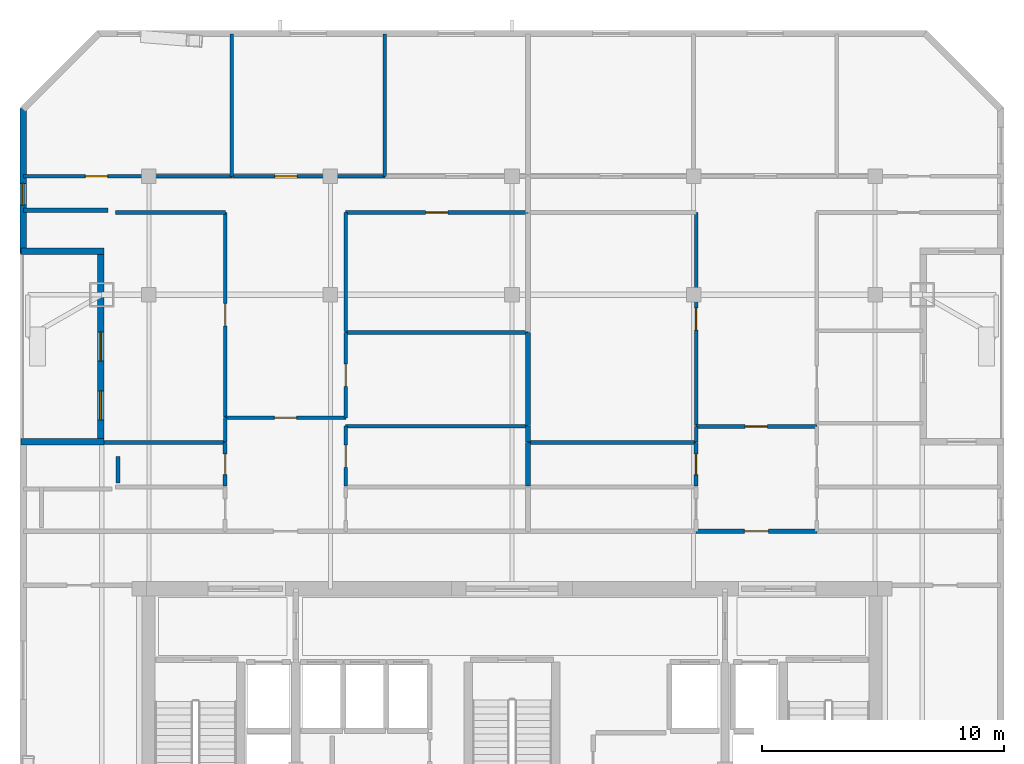
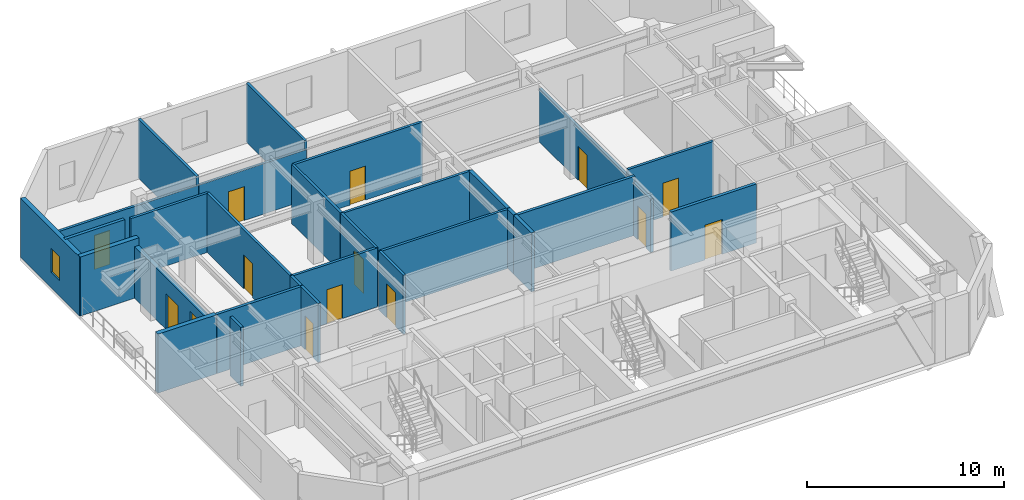
# One storey, part 4 of 8: 31 walls, 13 doors, 2 windows, 15 openings.
"""IFC4 building model written with IfcOpenShell, lengths in metres."""

import ifcopenshell
import ifcopenshell.guid

model = None  # the IFC model being written
_history = None  # IfcOwnerHistory: only IFC2X3 demands one
_inside = {}  # id of a spatial element -> (the spatial element, [elements in it])
_under = {}  # id of a project, library or spatial element -> (it, [spatial elements below it])
_declared = {}  # id of a project -> (the project, [libraries it declares])
_typed = {}  # id of a type object -> (the type object, [elements of that type])
_made_of = {}  # id of a material, layer set ... -> (it, [elements and type objects made of it])


def new_model(schema):
    """Start an empty IFC model of exactly this schema.

    Asked for "IFC4X3", IfcOpenShell would pick the latest addendum, in which some entities
    have other attributes; the version numbers below select the first issue.
    IFC2X3 requires an IfcOwnerHistory on every rooted entity: one is made here for all.
    """
    global model, _history
    if schema == "IFC4X3":
        model = ifcopenshell.file(schema_version=(4, 3, 0, 0))
    else:
        model = ifcopenshell.file(schema=schema)
    _inside.clear()
    _under.clear()
    _declared.clear()
    _typed.clear()
    _made_of.clear()
    _history = None
    if model.schema == "IFC2X3":
        org = make("IfcOrganization", Name="unknown")
        user = make(
            "IfcPersonAndOrganization",
            ThePerson=make("IfcPerson", FamilyName="unknown"),
            TheOrganization=org,
        )
        app = make(
            "IfcApplication",
            ApplicationDeveloper=org,
            Version="unknown",
            ApplicationFullName="unknown",
            ApplicationIdentifier="unknown",
        )
        _history = make(
            "IfcOwnerHistory",
            OwningUser=user,
            OwningApplication=app,
            ChangeAction="ADDED",
            CreationDate=0,
        )
    return model


def make(cls, **values):
    """One entity of the class cls with the attributes given. An attribute that is None is left unset."""
    return model.create_entity(
        cls, **{name: value for name, value in values.items() if value is not None}
    )


def rooted(cls, **values):
    """An entity with a GlobalId (a new one), such as an element, a storey or a relation."""
    return make(cls, GlobalId=ifcopenshell.guid.new(), OwnerHistory=_history, **values)


def si_unit(unit_type, name, prefix=None):
    """IfcSIUnit, for example si_unit("LENGTHUNIT", "METRE", prefix="MILLI")."""
    return make("IfcSIUnit", UnitType=unit_type, Prefix=prefix, Name=name)


def assignment(units):
    """IfcUnitAssignment: the units of a project."""
    return None if units is None else make("IfcUnitAssignment", Units=units)


def point(xyz):
    """IfcCartesianPoint."""
    return None if xyz is None else make("IfcCartesianPoint", Coordinates=xyz)


def direction(xyz):
    """IfcDirection."""
    return None if xyz is None else make("IfcDirection", DirectionRatios=xyz)


def frame(location, z_axis=None, x_axis=None):
    """IfcAxis2Placement3D, a coordinate frame: its origin and axes. An axis left out is left unset."""
    return make(
        "IfcAxis2Placement3D",
        Location=point(location),
        Axis=direction(z_axis),
        RefDirection=direction(x_axis),
    )


def frame_2d(location, x_axis=None):
    """IfcAxis2Placement2D, a coordinate frame in the plane: its origin and x axis."""
    return make(
        "IfcAxis2Placement2D", Location=point(location), RefDirection=direction(x_axis)
    )


def origin():
    """The frame at (0, 0, 0) with its axes left unset."""
    return frame((0.0, 0.0, 0.0))


def place(relative_to, where):
    """IfcLocalPlacement: puts the frame where relative to a parent placement (None: the world)."""
    return make(
        "IfcLocalPlacement", PlacementRelTo=relative_to, RelativePlacement=where
    )


def context(
    kind, dimensions, precision=None, world=None, true_north=None, identifier=None
):
    """IfcGeometricRepresentationContext, for example the 3D "Model" context."""
    return make(
        "IfcGeometricRepresentationContext",
        ContextIdentifier=identifier,
        ContextType=kind,
        CoordinateSpaceDimension=dimensions,
        Precision=precision,
        WorldCoordinateSystem=world,
        TrueNorth=true_north,
    )


def subcontext(parent, identifier, kind, view, scale=None):
    """IfcGeometricRepresentationSubContext, for example "Body" below "Model"."""
    return make(
        "IfcGeometricRepresentationSubContext",
        ContextIdentifier=identifier,
        ContextType=kind,
        ParentContext=parent,
        TargetScale=scale,
        TargetView=view,
    )


def project(units=None, contexts=None):
    """IfcProject with its units and contexts."""
    return rooted(
        "IfcProject",
        Name="project",
        RepresentationContexts=contexts,
        UnitsInContext=assignment(units),
    )


def spatial(cls, under=None, at=None, **own):
    """A site, building, storey or space (cls), placed at a placement, below another one or the project."""
    s = rooted(cls, ObjectPlacement=at, **own)
    if under is not None:
        _under.setdefault(under.id(), (under, []))[1].append(s)
    return s


def profile(cls, at=None, kind="AREA", **sizes):
    """A parametric profile (cls). Its sizes go by their IFC names, for example OverallWidth=200.0."""
    return make(cls, ProfileType=kind, Position=at, **sizes)


def rectangle(**sizes):
    """IfcRectangleProfileDef."""
    return profile("IfcRectangleProfileDef", **sizes)


def extrude(swept, where, along, depth):
    """IfcExtrudedAreaSolid: the profile swept, set in the frame where, extruded along a direction by depth."""
    return make(
        "IfcExtrudedAreaSolid",
        SweptArea=swept,
        Position=where,
        ExtrudedDirection=direction(along),
        Depth=depth,
    )


def shape(context_of_items, identifier, shape_type, items):
    """IfcShapeRepresentation: the items that make up one representation, for example the "Body"."""
    return make(
        "IfcShapeRepresentation",
        ContextOfItems=context_of_items,
        RepresentationIdentifier=identifier,
        RepresentationType=shape_type,
        Items=items,
    )


def material(Name=None, Category=None):
    """IfcMaterial."""
    return make("IfcMaterial", Name=Name, Category=Category)


def layer(
    of_material, thickness, ventilated=None, Name=None, Category=None, Priority=None
):
    """IfcMaterialLayer: one layer of a wall or slab, of a material (None: an air gap)."""
    return make(
        "IfcMaterialLayer",
        Material=of_material,
        LayerThickness=thickness,
        IsVentilated=ventilated,
        Name=Name,
        Category=Category,
        Priority=Priority,
    )


def layer_set(layers, Name=None):
    """IfcMaterialLayerSet."""
    return make("IfcMaterialLayerSet", MaterialLayers=layers, LayerSetName=Name)


def made_of(thing, what):
    """Note that an element or type object is made of a material, layer set ...; save() writes the relation."""
    if what is not None:
        _made_of.setdefault(what.id(), (what, []))[1].append(thing)
    return thing


def type_object(cls, material=None, **own):
    """A type object (cls), such as IfcWallType, which elements share."""
    return made_of(rooted(cls, **own), material)


def element(
    cls,
    number,
    at=None,
    inside=None,
    cuts=None,
    type_object=None,
    material=None,
    context=None,
    identifier="Body",
    shape_type=None,
    held_by="IfcProductDefinitionShape",
    body=None,
    shapes=None,
    **own,
):
    """One element of the class cls, such as IfcWall. Its Tag is "e" and its number.

    at: its placement. inside: the storey or other place that contains it. cuts: it is an
    opening in that element (IfcRelVoidsElement). A single representation is given by context,
    identifier, shape_type and body (its items); several are given by shapes. held_by: the class
    of the entity that holds the representations. save() writes the other relations.
    """
    e = rooted(cls, Tag="e%d" % number, ObjectPlacement=at, **own)
    if body is not None:
        shapes = [shape(context, identifier, shape_type, body)]
    if shapes is not None:
        e.Representation = make(held_by, Representations=shapes)
    if inside is not None:
        _inside.setdefault(inside.id(), (inside, []))[1].append(e)
    if cuts is not None:
        rooted(
            "IfcRelVoidsElement", RelatingBuildingElement=cuts, RelatedOpeningElement=e
        )
    if type_object is not None:
        _typed.setdefault(type_object.id(), (type_object, []))[1].append(e)
    return made_of(e, material)


def fill(opening, filler):
    """IfcRelFillsElement: the door or window that sits in an opening."""
    return rooted(
        "IfcRelFillsElement",
        RelatingOpeningElement=opening,
        RelatedBuildingElement=filler,
    )


def aggregate(whole, parts):
    """IfcRelAggregates: a whole, such as a stair, and the parts it consists of."""
    return rooted("IfcRelAggregates", RelatingObject=whole, RelatedObjects=parts)


def save(model, path):
    """Write the relations noted so far, then the file.

    IfcRelAggregates (storeys below a building ...), IfcRelContainedInSpatialStructure (elements
    in a storey), IfcRelDefinesByType, IfcRelAssociatesMaterial and IfcRelDeclares: one each for
    every whole, place, type object, material and project.
    """
    for whole, parts in _under.values():
        aggregate(whole, parts)
    for where, things in _inside.values():
        rooted(
            "IfcRelContainedInSpatialStructure",
            RelatedElements=things,
            RelatingStructure=where,
        )
    for kind, things in _typed.values():
        rooted("IfcRelDefinesByType", RelatedObjects=things, RelatingType=kind)
    for what, things in _made_of.values():
        rooted("IfcRelAssociatesMaterial", RelatedObjects=things, RelatingMaterial=what)
    for by, libraries in _declared.values():
        rooted("IfcRelDeclares", RelatingContext=by, RelatedDefinitions=libraries)
    model.write(path)


model = new_model("IFC4")

# Units and contexts
model_context = context("Model", 3, precision=1e-05, world=origin(), true_north=direction((0.0, 1.0)))
body_context = subcontext(model_context, "Body", "Model", "MODEL_VIEW")
ifc_project = project(units=[si_unit("LENGTHUNIT", "METRE"), si_unit("AREAUNIT", "SQUARE_METRE"), si_unit("VOLUMEUNIT", "CUBIC_METRE"), si_unit("PLANEANGLEUNIT", "RADIAN"), si_unit("MASSUNIT", "GRAM", prefix="KILO")], contexts=[model_context])

# Site, building, storey
site_placement = place(None, origin())
site = spatial("IfcSite", under=ifc_project, at=site_placement, CompositionType="ELEMENT")
building_placement = place(site_placement, origin())
building = spatial("IfcBuilding", under=site, at=building_placement, Name="Ventersveld Concourse Tower", CompositionType="ELEMENT")
storey_placement = place(building_placement, frame((0.0, 0.0, 284.89990234375)))
storey = spatial("IfcBuildingStorey", under=building, at=storey_placement, Name="L70", CompositionType="ELEMENT", Elevation=284.89990234375)

# Wall, opening, door
ifc_material_1 = material(Name="Fire-rated autoclaved aerated masonry blockwork", Category="masonry")
ifc_layer_1 = layer(ifc_material_1, 0.179931640625)
ifc_layer_set_1 = layer_set([ifc_layer_1], Name="Fire-rated autoclaved aerated masonry blockwork")
wall_type_1 = type_object("IfcWallType", Name="WL-CORR-180", PredefinedType="PARTITIONING", material=ifc_layer_set_1)
wall_1_placement = place(storey_placement, frame((36.35009765625, 13.830078125, 0.0), z_axis=(0.0, 0.0, 1.0), x_axis=(1.0, 0.0, 0.0)))
wall_1 = element("IfcWall", 1, at=wall_1_placement, inside=storey, type_object=wall_type_1, Name="L70 Interior Partition SP-L70-COR-SP-L70-70N2-FOY", PredefinedType="PARTITIONING", context=body_context, shape_type="SweptSolid", body=[
    extrude(rectangle(XDim=4.989990234375, YDim=0.179931640625, at=frame_2d((2.4951171875, 0.0))), origin(), (0.0, 0.0, 1.0), 3.650146484375),
])
opening_1_placement = place(wall_1_placement, frame((1.9951171875, 0.0, 0.0)))
opening_1 = element("IfcOpeningElement", 2, at=opening_1_placement, cuts=wall_1, Name="Opening FD3", PredefinedType="OPENING", context=body_context, shape_type="SweptSolid", body=[
    extrude(rectangle(XDim=1.0, YDim=2.14990234375, at=frame_2d((0.5, 1.074951171875))), frame((0.0, 0.10009765625, 0.0), z_axis=(0.0, -1.0, 0.0), x_axis=(1.0, 0.0, 0.0)), (0.0, 0.0, 1.0), 0.199951171875),
])
ifc_material_2 = material(Name="Solid-core hardwood veneer timber", Category="wood")
door_type_1 = type_object("IfcDoorType", Name="DR-FLAT-100", OperationType="NOTDEFINED", PredefinedType="DOOR", material=ifc_material_2)
door_1_placement = place(opening_1_placement, origin())
door_1 = element("IfcDoor", 3, at=door_1_placement, inside=storey, type_object=door_type_1, Name="L70 Interior Door SP-L70-COR to SP-L70-70N2-FOY (FD-L70-3267)", OperationType="SINGLE_SWING_LEFT", OverallHeight=2.14990234375, OverallWidth=1.0, PredefinedType="DOOR", context=body_context, shape_type="SweptSolid", body=[
    extrude(rectangle(XDim=1.0, YDim=2.14990234375, at=frame_2d((0.5, 1.074951171875))), frame((0.0, 0.02490234375, 0.0), z_axis=(0.0, -1.0, 0.0), x_axis=(1.0, 0.0, 0.0)), (0.0, 0.0, 1.0), 0.050048828125),
])
fill(opening_1, door_1)

# Walls
wall_2_placement = place(storey_placement, frame((12.05419921875, 27.090087890625, 0.0), z_axis=(0.0, 0.0, 1.0), x_axis=(-1.0, 0.0, 0.0)))
element("IfcWall", 4, at=wall_2_placement, inside=storey, type_object=wall_type_1, Name="L70 Room Enclosure Wall SP-L70-70N1-LIV", PredefinedType="PARTITIONING", context=body_context, shape_type="SweptSolid", body=[
    extrude(rectangle(XDim=3.48046875, YDim=0.179931640625, at=frame_2d((1.740234375, 0.0))), origin(), (0.0, 0.0, 1.0), 3.650146484375),
])
ifc_layer_2 = layer(ifc_material_1, 0.199951171875)
ifc_layer_set_2 = layer_set([ifc_layer_2], Name="Fire-rated autoclaved aerated masonry blockwork")
wall_type_2 = type_object("IfcWallType", Name="WL-DEMISE-200", PredefinedType="PARTITIONING", material=ifc_layer_set_2)
wall_3_placement = place(storey_placement, frame((29.404541015625, 15.695068359375, 0.0), z_axis=(0.0, 0.0, 1.0), x_axis=(0.0, 1.0, 0.0)))
element("IfcWall", 5, at=wall_3_placement, inside=storey, type_object=wall_type_2, Name="L70 Interior Partition SP-L70-70N1-SEMR1-SP-L70-70N2-PWDL2", PredefinedType="PARTITIONING", context=body_context, shape_type="SweptSolid", body=[
    extrude(rectangle(XDim=1.800048828125, YDim=0.199951171875, at=frame_2d((0.89990234375, 0.0))), origin(), (0.0, 0.0, 1.0), 3.650146484375),
])
wall_4_placement = place(storey_placement, frame((29.404541015625, 17.52490234375, 0.0), z_axis=(0.0, 0.0, 1.0), x_axis=(0.0, 1.0, 0.0)))
element("IfcWall", 6, at=wall_4_placement, inside=storey, type_object=wall_type_2, Name="L70 Interior Partition SP-L70-70N1-SEMR1-SP-L70-70N2-OFFL0", PredefinedType="PARTITIONING", context=body_context, shape_type="SweptSolid", body=[
    extrude(rectangle(XDim=0.64501953125, YDim=0.199951171875, at=frame_2d((0.322509765625, 0.0))), origin(), (0.0, 0.0, 1.0), 3.650146484375),
])
wall_5_placement = place(storey_placement, frame((29.404541015625, 18.199951171875, 0.0), z_axis=(0.0, 0.0, 1.0), x_axis=(0.0, 1.0, 0.0)))
element("IfcWall", 7, at=wall_5_placement, inside=storey, type_object=wall_type_2, Name="L70 Interior Partition SP-L70-70N1-DENS-SP-L70-70N2-OFFL0", PredefinedType="PARTITIONING", context=body_context, shape_type="SweptSolid", body=[
    extrude(rectangle(XDim=3.84619140625, YDim=0.199951171875, at=frame_2d((1.923095703125, 0.0))), origin(), (0.0, 0.0, 1.0), 3.650146484375),
])

# Wall, opening, door
ifc_material_3 = material(Name="Autoclaved aerated masonry blockwork", Category="masonry")
ifc_layer_3 = layer(ifc_material_3, 0.14990234375)
ifc_layer_set_3 = layer_set([ifc_layer_3], Name="Autoclaved aerated masonry blockwork")
wall_type_3 = type_object("IfcWallType", Name="WL-INT-150", PredefinedType="PARTITIONING", material=ifc_layer_set_3)
wall_6_placement = place(storey_placement, frame((16.897705078125, 18.51611328125, 0.0), z_axis=(0.0, 0.0, 1.0), x_axis=(1.0, 0.0, 0.0)))
wall_6 = element("IfcWall", 8, at=wall_6_placement, inside=storey, type_object=wall_type_3, Name="L70 Interior Partition SP-L70-70N1-FOY-SP-L70-70N1-LIV", PredefinedType="PARTITIONING", context=body_context, shape_type="SweptSolid", body=[
    extrude(rectangle(XDim=4.989990234375, YDim=0.14990234375, at=frame_2d((2.4951171875, 0.0))), origin(), (0.0, 0.0, 1.0), 3.650146484375),
])
opening_2_placement = place(wall_6_placement, frame((2.034912109375, 0.0, 0.0)))
opening_2 = element("IfcOpeningElement", 9, at=opening_2_placement, cuts=wall_6, Name="Opening ID1", PredefinedType="OPENING", context=body_context, shape_type="SweptSolid", body=[
    extrude(rectangle(XDim=0.919921875, YDim=2.10009765625, at=frame_2d((0.4599609375, 1.050048828125))), frame((0.0, 0.0849609375, 0.0), z_axis=(0.0, -1.0, 0.0), x_axis=(1.0, 0.0, 0.0)), (0.0, 0.0, 1.0), 0.169921875),
])
door_type_2 = type_object("IfcDoorType", Name="DR-ROOM-092", OperationType="NOTDEFINED", PredefinedType="DOOR", material=ifc_material_2)
door_2_placement = place(opening_2_placement, origin())
door_2 = element("IfcDoor", 10, at=door_2_placement, inside=storey, type_object=door_type_2, Name="L70 Interior Door SP-L70-70N1-FOY to SP-L70-70N1-LIV (D-L70-3268)", OperationType="SINGLE_SWING_RIGHT", OverallHeight=2.10009765625, OverallWidth=0.919921875, PredefinedType="DOOR", context=body_context, shape_type="SweptSolid", body=[
    extrude(rectangle(XDim=0.919921875, YDim=2.10009765625, at=frame_2d((0.4599609375, 1.050048828125))), frame((0.0, 0.02490234375, 0.0), z_axis=(0.0, -1.0, 0.0), x_axis=(1.0, 0.0, 0.0)), (0.0, 0.0, 1.0), 0.050048828125),
])
fill(opening_2, door_2)

# Wall
wall_7_placement = place(storey_placement, frame((16.902587890625, 17.52490234375, 0.0), z_axis=(0.0, 0.0, 1.0), x_axis=(0.0, 1.0, 0.0)))
element("IfcWall", 11, at=wall_7_placement, inside=storey, type_object=wall_type_3, Name="L70 Interior Partition SP-L70-70N1-FOY-SP-L70-70N1-OFFL0", PredefinedType="PARTITIONING", context=body_context, shape_type="SweptSolid", body=[
    extrude(rectangle(XDim=0.996337890625, YDim=0.14990234375, at=frame_2d((0.498046875, 0.0))), origin(), (0.0, 0.0, 1.0), 3.650146484375),
])

# Wall, opening, door
wall_8_placement = place(storey_placement, frame((21.882568359375, 15.695068359375, 0.0), z_axis=(0.0, 0.0, 1.0), x_axis=(0.0, 1.0, 0.0)))
wall_8 = element("IfcWall", 12, at=wall_8_placement, inside=storey, type_object=wall_type_3, Name="L70 Interior Partition SP-L70-70N1-FOY-SP-L70-70N1-SEMR1", PredefinedType="PARTITIONING", context=body_context, shape_type="SweptSolid", body=[
    extrude(rectangle(XDim=2.474853515625, YDim=0.14990234375, at=frame_2d((1.2373046875, 0.0))), origin(), (0.0, 0.0, 1.0), 3.650146484375),
])
opening_3_placement = place(wall_8_placement, frame((0.777587890625, 0.0, 0.0)))
opening_3 = element("IfcOpeningElement", 13, at=opening_3_placement, cuts=wall_8, Name="Opening ID1", PredefinedType="OPENING", context=body_context, shape_type="SweptSolid", body=[
    extrude(rectangle(XDim=0.919921875, YDim=2.10009765625, at=frame_2d((0.4599609375, 1.050048828125))), frame((0.0, 0.0849609375, 0.0), z_axis=(0.0, -1.0, 0.0), x_axis=(1.0, 0.0, 0.0)), (0.0, 0.0, 1.0), 0.169921875),
])
door_3_placement = place(opening_3_placement, origin())
door_3 = element("IfcDoor", 14, at=door_3_placement, inside=storey, type_object=door_type_2, Name="L70 Interior Door SP-L70-70N1-FOY to SP-L70-70N1-SEMR1 (D-L70-3272)", OperationType="SINGLE_SWING_RIGHT", OverallHeight=2.10009765625, OverallWidth=0.919921875, PredefinedType="DOOR", context=body_context, shape_type="SweptSolid", body=[
    extrude(rectangle(XDim=0.919921875, YDim=2.10009765625, at=frame_2d((0.4599609375, 1.050048828125))), frame((0.0, 0.02490234375, 0.0), z_axis=(0.0, -1.0, 0.0), x_axis=(1.0, 0.0, 0.0)), (0.0, 0.0, 1.0), 0.050048828125),
])
fill(opening_3, door_3)

wall_9_placement = place(storey_placement, frame((16.902587890625, 18.55126953125, 0.0), z_axis=(0.0, 0.0, 1.0), x_axis=(0.0, 1.0, 0.0)))
wall_9 = element("IfcWall", 15, at=wall_9_placement, inside=storey, type_object=wall_type_3, Name="L70 Interior Partition SP-L70-70N1-LIV-SP-L70-70N1-OFFL0", PredefinedType="PARTITIONING", context=body_context, shape_type="SweptSolid", body=[
    extrude(rectangle(XDim=8.45361328125, YDim=0.14990234375, at=frame_2d((4.226806640625, 0.0))), origin(), (0.0, 0.0, 1.0), 3.650146484375),
])
opening_4_placement = place(wall_9_placement, frame((3.766845703125, 0.0, 0.0)))
opening_4 = element("IfcOpeningElement", 16, at=opening_4_placement, cuts=wall_9, Name="Opening ID1", PredefinedType="OPENING", context=body_context, shape_type="SweptSolid", body=[
    extrude(rectangle(XDim=0.919921875, YDim=2.10009765625, at=frame_2d((0.4599609375, 1.050048828125))), frame((0.0, 0.0849609375, 0.0), z_axis=(0.0, -1.0, 0.0), x_axis=(1.0, 0.0, 0.0)), (0.0, 0.0, 1.0), 0.169921875),
])
door_4_placement = place(opening_4_placement, origin())
door_4 = element("IfcDoor", 17, at=door_4_placement, inside=storey, type_object=door_type_2, Name="L70 Interior Door SP-L70-70N1-LIV to SP-L70-70N1-OFFL0 (D-L70-3273)", OperationType="SINGLE_SWING_LEFT", OverallHeight=2.10009765625, OverallWidth=0.919921875, PredefinedType="DOOR", context=body_context, shape_type="SweptSolid", body=[
    extrude(rectangle(XDim=0.919921875, YDim=2.10009765625, at=frame_2d((0.4599609375, 1.050048828125))), frame((0.0, 0.02490234375, 0.0), z_axis=(0.0, -1.0, 0.0), x_axis=(1.0, 0.0, 0.0)), (0.0, 0.0, 1.0), 0.050048828125),
])
fill(opening_4, door_4)

# Wall
wall_10_placement = place(storey_placement, frame((12.369140625, 27.0, 0.0), z_axis=(0.0, 0.0, 1.0), x_axis=(1.0, 0.0, 0.0)))
element("IfcWall", 18, at=wall_10_placement, inside=storey, type_object=wall_type_3, Name="L70 Interior Partition SP-L70-70N1-LIV-SP-L70-70N1-OFFL0", PredefinedType="PARTITIONING", context=body_context, shape_type="SweptSolid", body=[
    extrude(rectangle(XDim=4.53857421875, YDim=0.14990234375, at=frame_2d((2.269287109375, 0.0))), origin(), (0.0, 0.0, 1.0), 3.650146484375),
])

# Wall, opening, door
wall_11_placement = place(storey_placement, frame((21.882568359375, 18.51123046875, 0.0), z_axis=(0.0, 0.0, 1.0), x_axis=(0.0, 1.0, 0.0)))
wall_11 = element("IfcWall", 19, at=wall_11_placement, inside=storey, type_object=wall_type_3, Name="L70 Interior Partition SP-L70-70N1-LIV-SP-L70-70N1-DENS", PredefinedType="PARTITIONING", context=body_context, shape_type="SweptSolid", body=[
    extrude(rectangle(XDim=3.534912109375, YDim=0.14990234375, at=frame_2d((1.767578125, 0.0))), origin(), (0.0, 0.0, 1.0), 3.650146484375),
])
opening_5_placement = place(wall_11_placement, frame((1.3076171875, 0.0, 0.0)))
opening_5 = element("IfcOpeningElement", 20, at=opening_5_placement, cuts=wall_11, Name="Opening ID1", PredefinedType="OPENING", context=body_context, shape_type="SweptSolid", body=[
    extrude(rectangle(XDim=0.919921875, YDim=2.10009765625, at=frame_2d((0.4599609375, 1.050048828125))), frame((0.0, 0.0849609375, 0.0), z_axis=(0.0, -1.0, 0.0), x_axis=(1.0, 0.0, 0.0)), (0.0, 0.0, 1.0), 0.169921875),
])
door_5_placement = place(opening_5_placement, origin())
door_5 = element("IfcDoor", 21, at=door_5_placement, inside=storey, type_object=door_type_2, Name="L70 Interior Door SP-L70-70N1-LIV to SP-L70-70N1-DENS (D-L70-3274)", OperationType="SINGLE_SWING_RIGHT", OverallHeight=2.10009765625, OverallWidth=0.919921875, PredefinedType="DOOR", context=body_context, shape_type="SweptSolid", body=[
    extrude(rectangle(XDim=0.919921875, YDim=2.10009765625, at=frame_2d((0.4599609375, 1.050048828125))), frame((0.0, 0.02490234375, 0.0), z_axis=(0.0, -1.0, 0.0), x_axis=(1.0, 0.0, 0.0)), (0.0, 0.0, 1.0), 0.050048828125),
])
fill(opening_5, door_5)

wall_12_placement = place(storey_placement, frame((21.877685546875, 27.0, 0.0), z_axis=(0.0, 0.0, 1.0), x_axis=(1.0, 0.0, 0.0)))
wall_12 = element("IfcWall", 22, at=wall_12_placement, inside=storey, type_object=wall_type_3, Name="L70 Interior Partition SP-L70-70N1-LIV-SP-L70-70N1-DENS2", PredefinedType="PARTITIONING", context=body_context, shape_type="SweptSolid", body=[
    extrude(rectangle(XDim=7.53173828125, YDim=0.14990234375, at=frame_2d((3.765869140625, 0.0))), origin(), (0.0, 0.0, 1.0), 3.650146484375),
])
opening_6_placement = place(wall_12_placement, frame((3.305908203125, 0.0, 0.0)))
opening_6 = element("IfcOpeningElement", 23, at=opening_6_placement, cuts=wall_12, Name="Opening ID1", PredefinedType="OPENING", context=body_context, shape_type="SweptSolid", body=[
    extrude(rectangle(XDim=0.919921875, YDim=2.10009765625, at=frame_2d((0.4599609375, 1.050048828125))), frame((0.0, 0.0849609375, 0.0), z_axis=(0.0, -1.0, 0.0), x_axis=(1.0, 0.0, 0.0)), (0.0, 0.0, 1.0), 0.169921875),
])
door_6_placement = place(opening_6_placement, origin())
door_6 = element("IfcDoor", 24, at=door_6_placement, inside=storey, type_object=door_type_2, Name="L70 Interior Door SP-L70-70N1-LIV to SP-L70-70N1-DENS2 (D-L70-3275)", OperationType="SINGLE_SWING_LEFT", OverallHeight=2.10009765625, OverallWidth=0.919921875, PredefinedType="DOOR", context=body_context, shape_type="SweptSolid", body=[
    extrude(rectangle(XDim=0.919921875, YDim=2.10009765625, at=frame_2d((0.4599609375, 1.050048828125))), frame((0.0, 0.02490234375, 0.0), z_axis=(0.0, -1.0, 0.0), x_axis=(1.0, 0.0, 0.0)), (0.0, 0.0, 1.0), 0.050048828125),
])
fill(opening_6, door_6)

# Wall
wall_13_placement = place(storey_placement, frame((21.882568359375, 22.076171875, 0.0), z_axis=(0.0, 0.0, 1.0), x_axis=(0.0, 1.0, 0.0)))
element("IfcWall", 25, at=wall_13_placement, inside=storey, type_object=wall_type_3, Name="L70 Interior Partition SP-L70-70N1-LIV-SP-L70-70N1-DENS2", PredefinedType="PARTITIONING", context=body_context, shape_type="SweptSolid", body=[
    extrude(rectangle(XDim=4.9287109375, YDim=0.14990234375, at=frame_2d((2.46435546875, 0.0))), origin(), (0.0, 0.0, 1.0), 3.650146484375),
])

# Wall, opening, door
wall_14_placement = place(storey_placement, frame((8.57373046875, 28.5, 0.0), z_axis=(0.0, 0.0, 1.0), x_axis=(1.0, 0.0, 0.0)))
wall_14 = element("IfcWall", 26, at=wall_14_placement, inside=storey, type_object=wall_type_3, Name="L70 Interior Partition SP-L70-70N1-LIV-SP-L70-70N1-BR1", PredefinedType="PARTITIONING", context=body_context, shape_type="SweptSolid", body=[
    extrude(rectangle(XDim=8.603759765625, YDim=0.14990234375, at=frame_2d((4.3017578125, 0.0))), origin(), (0.0, 0.0, 1.0), 3.116943359375),
])
opening_7_placement = place(wall_14_placement, frame((2.55126953125, 0.0, 0.0)))
opening_7 = element("IfcOpeningElement", 27, at=opening_7_placement, cuts=wall_14, Name="Opening ID1", PredefinedType="OPENING", context=body_context, shape_type="SweptSolid", body=[
    extrude(rectangle(XDim=0.919921875, YDim=2.10009765625, at=frame_2d((0.4599609375, 1.050048828125))), frame((0.0, 0.0849609375, 0.0), z_axis=(0.0, -1.0, 0.0), x_axis=(1.0, 0.0, 0.0)), (0.0, 0.0, 1.0), 0.169921875),
])
door_7_placement = place(opening_7_placement, origin())
door_7 = element("IfcDoor", 28, at=door_7_placement, inside=storey, type_object=door_type_2, Name="L70 Interior Door SP-L70-70N1-LIV to SP-L70-70N1-BR1 (D-L70-3276)", OperationType="SINGLE_SWING_RIGHT", OverallHeight=2.10009765625, OverallWidth=0.919921875, PredefinedType="DOOR", context=body_context, shape_type="SweptSolid", body=[
    extrude(rectangle(XDim=0.919921875, YDim=2.10009765625, at=frame_2d((0.4599609375, 1.050048828125))), frame((0.0, 0.02490234375, 0.0), z_axis=(0.0, -1.0, 0.0), x_axis=(1.0, 0.0, 0.0)), (0.0, 0.0, 1.0), 0.050048828125),
])
fill(opening_7, door_7)

wall_15_placement = place(storey_placement, frame((17.20751953125, 28.5, 0.0), z_axis=(0.0, 0.0, 1.0), x_axis=(1.0, 0.0, 0.0)))
wall_15 = element("IfcWall", 29, at=wall_15_placement, inside=storey, type_object=wall_type_3, Name="L70 Interior Partition SP-L70-70N1-LIV-SP-L70-70N1-BR2", PredefinedType="PARTITIONING", context=body_context, shape_type="SweptSolid", body=[
    extrude(rectangle(XDim=6.29052734375, YDim=0.14990234375, at=frame_2d((3.145263671875, 0.0))), origin(), (0.0, 0.0, 1.0), 3.116943359375),
])
opening_8_placement = place(wall_15_placement, frame((1.74169921875, 0.0, 0.0)))
opening_8 = element("IfcOpeningElement", 30, at=opening_8_placement, cuts=wall_15, Name="Opening ID1", PredefinedType="OPENING", context=body_context, shape_type="SweptSolid", body=[
    extrude(rectangle(XDim=0.919921875, YDim=2.10009765625, at=frame_2d((0.4599609375, 1.050048828125))), frame((0.0, 0.0849609375, 0.0), z_axis=(0.0, -1.0, 0.0), x_axis=(1.0, 0.0, 0.0)), (0.0, 0.0, 1.0), 0.169921875),
])
door_8_placement = place(opening_8_placement, origin())
door_8 = element("IfcDoor", 31, at=door_8_placement, inside=storey, type_object=door_type_2, Name="L70 Interior Door SP-L70-70N1-LIV to SP-L70-70N1-BR2 (D-L70-3277)", OperationType="SINGLE_SWING_LEFT", OverallHeight=2.10009765625, OverallWidth=0.919921875, PredefinedType="DOOR", context=body_context, shape_type="SweptSolid", body=[
    extrude(rectangle(XDim=0.919921875, YDim=2.10009765625, at=frame_2d((0.4599609375, 1.050048828125))), frame((0.0, 0.02490234375, 0.0), z_axis=(0.0, -1.0, 0.0), x_axis=(1.0, 0.0, 0.0)), (0.0, 0.0, 1.0), 0.050048828125),
])
fill(opening_8, door_8)

# Walls
for number, where, z_axis, x_axis, name in (
    (32, (21.877685546875, 18.1650390625, 0.0), (0.0, 0.0, 1.0), (1.0, 0.0, 0.0), "L70 Interior Partition SP-L70-70N1-SEMR1-SP-L70-70N1-DENS"),
    (33, (21.877685546875, 22.041015625, 0.0), (0.0, 0.0, 1.0), (1.0, 0.0, 0.0), "L70 Interior Partition SP-L70-70N1-DENS-SP-L70-70N1-DENS2"),
):
    element("IfcWall", number, at=place(storey_placement, frame(where, z_axis=z_axis, x_axis=x_axis)), inside=storey, type_object=wall_type_3, Name=name, PredefinedType="PARTITIONING", context=body_context, shape_type="SweptSolid", body=[
        extrude(rectangle(XDim=7.53173828125, YDim=0.14990234375, at=frame_2d((3.765869140625, 0.0))), origin(), (0.0, 0.0, 1.0), 3.650146484375),
    ])
for number, where, z_axis, x_axis, name in (
    (34, (17.17236328125, 28.4951171875, 0.0), (0.0, 0.0, 1.0), (0.0, 1.0, 0.0), "L70 Interior Partition SP-L70-70N1-BR1-SP-L70-70N1-BR2"),
    (35, (23.4931640625, 28.4951171875, 0.0), (0.0, 0.0, 1.0), (0.0, 1.0, 0.0), "L70 Interior Partition SP-L70-70N1-BR2-SP-L70-70N1-BR3"),
):
    element("IfcWall", number, at=place(storey_placement, frame(where, z_axis=z_axis, x_axis=x_axis)), inside=storey, type_object=wall_type_3, Name=name, PredefinedType="PARTITIONING", context=body_context, shape_type="SweptSolid", body=[
        extrude(rectangle(XDim=5.88232421875, YDim=0.14990234375, at=frame_2d((2.941162109375, 0.0))), origin(), (0.0, 0.0, 1.0), 3.650146484375),
    ])

# Wall, opening, door
wall_16_placement = place(storey_placement, frame((36.35009765625, 18.15625, 0.0), z_axis=(0.0, 0.0, 1.0), x_axis=(1.0, 0.0, 0.0)))
wall_16 = element("IfcWall", 36, at=wall_16_placement, inside=storey, type_object=wall_type_3, Name="L70 Interior Partition SP-L70-70N2-FOY-SP-L70-70N2-LIV", PredefinedType="PARTITIONING", context=body_context, shape_type="SweptSolid", body=[
    extrude(rectangle(XDim=4.989990234375, YDim=0.14990234375, at=frame_2d((2.4951171875, 0.0))), origin(), (0.0, 0.0, 1.0), 3.650146484375),
])
opening_9_placement = place(wall_16_placement, frame((2.034912109375, 0.0, 0.0)))
opening_9 = element("IfcOpeningElement", 37, at=opening_9_placement, cuts=wall_16, Name="Opening ID1", PredefinedType="OPENING", context=body_context, shape_type="SweptSolid", body=[
    extrude(rectangle(XDim=0.919921875, YDim=2.10009765625, at=frame_2d((0.4599609375, 1.050048828125))), frame((0.0, 0.0849609375, 0.0), z_axis=(0.0, -1.0, 0.0), x_axis=(1.0, 0.0, 0.0)), (0.0, 0.0, 1.0), 0.169921875),
])
door_9_placement = place(opening_9_placement, origin())
door_9 = element("IfcDoor", 38, at=door_9_placement, inside=storey, type_object=door_type_2, Name="L70 Interior Door SP-L70-70N2-FOY to SP-L70-70N2-LIV (D-L70-3279)", OperationType="SINGLE_SWING_LEFT", OverallHeight=2.10009765625, OverallWidth=0.919921875, PredefinedType="DOOR", context=body_context, shape_type="SweptSolid", body=[
    extrude(rectangle(XDim=0.919921875, YDim=2.10009765625, at=frame_2d((0.4599609375, 1.050048828125))), frame((0.0, 0.02490234375, 0.0), z_axis=(0.0, -1.0, 0.0), x_axis=(1.0, 0.0, 0.0)), (0.0, 0.0, 1.0), 0.050048828125),
])
fill(opening_9, door_9)

# Wall
wall_17_placement = place(storey_placement, frame((36.35498046875, 17.52490234375, 0.0), z_axis=(0.0, 0.0, 1.0), x_axis=(0.0, 1.0, 0.0)))
element("IfcWall", 39, at=wall_17_placement, inside=storey, type_object=wall_type_3, Name="L70 Interior Partition SP-L70-70N2-FOY-SP-L70-70N2-OFFL0", PredefinedType="PARTITIONING", context=body_context, shape_type="SweptSolid", body=[
    extrude(rectangle(XDim=0.63623046875, YDim=0.14990234375, at=frame_2d((0.318115234375, 0.0))), origin(), (0.0, 0.0, 1.0), 3.295166015625),
])

# Wall, opening, door
wall_18_placement = place(storey_placement, frame((36.35498046875, 18.191162109375, 0.0), z_axis=(0.0, 0.0, 1.0), x_axis=(0.0, 1.0, 0.0)))
wall_18 = element("IfcWall", 40, at=wall_18_placement, inside=storey, type_object=wall_type_3, Name="L70 Interior Partition SP-L70-70N2-LIV-SP-L70-70N2-OFFL0", PredefinedType="PARTITIONING", context=body_context, shape_type="SweptSolid", body=[
    extrude(rectangle(XDim=8.813720703125, YDim=0.14990234375, at=frame_2d((4.40673828125, 0.0))), origin(), (0.0, 0.0, 1.0), 3.295166015625),
])
opening_10_placement = place(wall_18_placement, frame((3.947021484375, 0.0, 0.0)))
opening_10 = element("IfcOpeningElement", 41, at=opening_10_placement, cuts=wall_18, Name="Opening ID1", PredefinedType="OPENING", context=body_context, shape_type="SweptSolid", body=[
    extrude(rectangle(XDim=0.919921875, YDim=2.10009765625, at=frame_2d((0.4599609375, 1.050048828125))), frame((0.0, 0.0849609375, 0.0), z_axis=(0.0, -1.0, 0.0), x_axis=(1.0, 0.0, 0.0)), (0.0, 0.0, 1.0), 0.169921875),
])
door_10_placement = place(opening_10_placement, origin())
door_10 = element("IfcDoor", 42, at=door_10_placement, inside=storey, type_object=door_type_2, Name="L70 Interior Door SP-L70-70N2-LIV to SP-L70-70N2-OFFL0 (D-L70-3284)", OperationType="SINGLE_SWING_RIGHT", OverallHeight=2.10009765625, OverallWidth=0.919921875, PredefinedType="DOOR", context=body_context, shape_type="SweptSolid", body=[
    extrude(rectangle(XDim=0.919921875, YDim=2.10009765625, at=frame_2d((0.4599609375, 1.050048828125))), frame((0.0, 0.02490234375, 0.0), z_axis=(0.0, -1.0, 0.0), x_axis=(1.0, 0.0, 0.0)), (0.0, 0.0, 1.0), 0.050048828125),
])
fill(opening_10, door_10)

# Wall, opening, window
ifc_material_4 = material(Name="Precast concrete C45/55", Category="concrete")
ifc_layer_4 = layer(ifc_material_4, 0.260009765625)
ifc_layer_set_4 = layer_set([ifc_layer_4], Name="Precast concrete C45/55")
wall_type_4 = type_object("IfcWallType", Name="WL-PREC-260", PredefinedType="SOLIDWALL", material=ifc_layer_set_4)
wall_19_placement = place(storey_placement, frame((8.55419921875, 31.286865234375, 0.0), z_axis=(0.0, 0.0, 1.0), x_axis=(0.0, -1.0, 0.0)))
wall_19 = element("IfcWall", 43, at=wall_19_placement, inside=storey, type_object=wall_type_4, Name="L70 Highveld Precast Facade Wall E11", PredefinedType="SOLIDWALL", context=body_context, shape_type="SweptSolid", body=[
    extrude(rectangle(XDim=5.9833984375, YDim=0.260009765625, at=frame_2d((2.99169921875, 0.0))), origin(), (0.0, 0.0, 1.0), 3.650146484375),
])
opening_11_placement = place(wall_19_placement, frame((3.0869140625, 0.0, 0.949951171875)))
opening_11 = element("IfcOpeningElement", 44, at=opening_11_placement, cuts=wall_19, Name="Opening W4", PredefinedType="OPENING", context=body_context, shape_type="SweptSolid", body=[
    extrude(rectangle(XDim=0.89990234375, YDim=1.5, at=frame_2d((0.449951171875, 0.75))), frame((0.0, 0.14013671875, 0.0), z_axis=(0.0, -1.0, 0.0), x_axis=(1.0, 0.0, 0.0)), (0.0, 0.0, 1.0), 0.280029296875),
])
ifc_material_5 = material(Name="Tempered acoustic Low-E IGU", Category="glass")
window_type_1 = type_object("IfcWindowType", Name="WIN-090x150", PartitioningType="SINGLE_PANEL", PredefinedType="WINDOW", material=ifc_material_5)
window_1_placement = place(opening_11_placement, origin())
window_1 = element("IfcWindow", 45, at=window_1_placement, inside=storey, type_object=window_type_1, Name="L70 Punched Low-E Window W-0997", OverallHeight=1.5, OverallWidth=0.89990234375, PartitioningType="SINGLE_PANEL", PredefinedType="WINDOW", context=body_context, shape_type="SweptSolid", body=[
    extrude(rectangle(XDim=0.89990234375, YDim=1.5, at=frame_2d((0.449951171875, 0.75))), frame((0.0, 0.030029296875, 0.0), z_axis=(0.0, -1.0, 0.0), x_axis=(1.0, 0.0, 0.0)), (0.0, 0.0, 1.0), 0.06005859375),
])
fill(opening_11, window_1)

# Wall
wall_20_placement = place(storey_placement, frame((8.464111328125, 25.393310546875, 0.0), z_axis=(0.0, 0.0, 1.0), x_axis=(1.0, 0.0, 0.0)))
element("IfcWall", 46, at=wall_20_placement, inside=storey, type_object=wall_type_4, Name="L70 Highveld Precast Facade Wall E12", PredefinedType="SOLIDWALL", context=body_context, shape_type="SweptSolid", body=[
    extrude(rectangle(XDim=3.420166015625, YDim=0.260009765625, at=frame_2d((1.7099609375, 0.0))), origin(), (0.0, 0.0, 1.0), 3.650146484375),
])

# Wall, openings, door, window
wall_21_placement = place(storey_placement, frame((11.754150390625, 25.263427734375, 0.0), z_axis=(0.0, 0.0, 1.0), x_axis=(0.0, -1.0, 0.0)))
wall_21 = element("IfcWall", 47, at=wall_21_placement, inside=storey, type_object=wall_type_4, Name="L70 Highveld Precast Facade Wall E13", PredefinedType="SOLIDWALL", context=body_context, shape_type="SweptSolid", body=[
    extrude(rectangle(XDim=7.60009765625, YDim=0.260009765625, at=frame_2d((3.800048828125, 0.0))), origin(), (0.0, 0.0, 1.0), 3.190185546875),
])
opening_12_placement = place(wall_21_placement, frame((3.199951171875, 0.0, 0.0)))
opening_12 = element("IfcOpeningElement", 48, at=opening_12_placement, cuts=wall_21, Name="Opening TD1", PredefinedType="OPENING", context=body_context, shape_type="SweptSolid", body=[
    extrude(rectangle(XDim=1.199951171875, YDim=2.199951171875, at=frame_2d((0.60009765625, 1.10009765625))), frame((0.0, 0.14013671875, 0.0), z_axis=(0.0, -1.0, 0.0), x_axis=(1.0, 0.0, 0.0)), (0.0, 0.0, 1.0), 0.280029296875),
])
opening_13_placement = place(wall_21_placement, frame((5.6298828125, 0.0, 0.89990234375)))
opening_13 = element("IfcOpeningElement", 49, at=opening_13_placement, cuts=wall_21, Name="Opening W3", PredefinedType="OPENING", context=body_context, shape_type="SweptSolid", body=[
    extrude(rectangle(XDim=1.199951171875, YDim=1.699951171875, at=frame_2d((0.60009765625, 0.85009765625))), frame((0.0, 0.14013671875, 0.0), z_axis=(0.0, -1.0, 0.0), x_axis=(1.0, 0.0, 0.0)), (0.0, 0.0, 1.0), 0.280029296875),
])
ifc_material_6 = material(Name="Anodised aluminium EN AW-6063-T6", Category="aluminium")
door_type_3 = type_object("IfcDoorType", Name="DR-TERR-120", OperationType="NOTDEFINED", PredefinedType="DOOR", material=ifc_material_6)
door_11_placement = place(opening_12_placement, frame((1.199951171875, 0.0, 0.0), z_axis=(0.0, 0.0, 1.0), x_axis=(-1.0, 0.0, 0.0)))
door_11 = element("IfcDoor", 50, at=door_11_placement, inside=storey, type_object=door_type_3, Name="L70 Stepped Valley Terrace Door TD-L70-01", OperationType="SINGLE_SWING_LEFT", OverallHeight=2.199951171875, OverallWidth=1.199951171875, PredefinedType="DOOR", context=body_context, shape_type="SweptSolid", body=[
    extrude(rectangle(XDim=1.199951171875, YDim=2.199951171875, at=frame_2d((0.60009765625, 1.10009765625))), frame((0.0, 0.02490234375, 0.0), z_axis=(0.0, -1.0, 0.0), x_axis=(1.0, 0.0, 0.0)), (0.0, 0.0, 1.0), 0.050048828125),
])
fill(opening_12, door_11)
window_type_2 = type_object("IfcWindowType", Name="WIN-120x180", PartitioningType="SINGLE_PANEL", PredefinedType="WINDOW", material=ifc_material_5)
window_2_placement = place(opening_13_placement, origin())
window_2 = element("IfcWindow", 51, at=window_2_placement, inside=storey, type_object=window_type_2, Name="L70 Punched Low-E Window W-0998", OverallHeight=1.699951171875, OverallWidth=1.199951171875, PartitioningType="SINGLE_PANEL", PredefinedType="WINDOW", context=body_context, shape_type="SweptSolid", body=[
    extrude(rectangle(XDim=1.199951171875, YDim=1.699951171875, at=frame_2d((0.60009765625, 0.85009765625))), frame((0.0, 0.030029296875, 0.0), z_axis=(0.0, -1.0, 0.0), x_axis=(1.0, 0.0, 0.0)), (0.0, 0.0, 1.0), 0.06005859375),
])
fill(opening_13, window_2)

# Wall
wall_22_placement = place(storey_placement, frame((11.88427734375, 17.533447265625, 0.0), z_axis=(0.0, 0.0, 1.0), x_axis=(-1.0, 0.0, 0.0)))
element("IfcWall", 52, at=wall_22_placement, inside=storey, type_object=wall_type_4, Name="L70 Highveld Precast Facade Wall E14", PredefinedType="SOLIDWALL", context=body_context, shape_type="SweptSolid", body=[
    extrude(rectangle(XDim=3.420166015625, YDim=0.260009765625, at=frame_2d((1.7099609375, 0.0))), origin(), (0.0, 0.0, 1.0), 3.650146484375),
])

# Wall, opening, door
ifc_layer_5 = layer(ifc_material_3, 0.1650390625)
ifc_layer_set_5 = layer_set([ifc_layer_5], Name="Autoclaved aerated masonry blockwork")
wall_type_5 = type_object("IfcWallType", Name="WL-WET-165", PredefinedType="PLUMBINGWALL", material=ifc_layer_set_5)
wall_23_placement = place(storey_placement, frame((16.902587890625, 15.695068359375, 0.0), z_axis=(0.0, 0.0, 1.0), x_axis=(0.0, 1.0, 0.0)))
wall_23 = element("IfcWall", 53, at=wall_23_placement, inside=storey, type_object=wall_type_5, Name="L70 Interior Partition SP-L70-70N1-FOY-SP-L70-70N1-PWDL2", PredefinedType="PLUMBINGWALL", context=body_context, shape_type="SweptSolid", body=[
    extrude(rectangle(XDim=1.800048828125, YDim=0.1650390625, at=frame_2d((0.89990234375, 0.0))), origin(), (0.0, 0.0, 1.0), 3.650146484375),
])
opening_14_placement = place(wall_23_placement, frame((0.47509765625, 0.0, 0.0)))
opening_14 = element("IfcOpeningElement", 54, at=opening_14_placement, cuts=wall_23, Name="Opening ID2", PredefinedType="OPENING", context=body_context, shape_type="SweptSolid", body=[
    extrude(rectangle(XDim=0.85009765625, YDim=2.10009765625, at=frame_2d((0.425048828125, 1.050048828125))), frame((0.0, 0.092529296875, 0.0), z_axis=(0.0, -1.0, 0.0), x_axis=(1.0, 0.0, 0.0)), (0.0, 0.0, 1.0), 0.18505859375),
])
door_type_4 = type_object("IfcDoorType", Name="DR-BATH-085", OperationType="NOTDEFINED", PredefinedType="DOOR", material=ifc_material_2)
door_12_placement = place(opening_14_placement, origin())
door_12 = element("IfcDoor", 55, at=door_12_placement, inside=storey, type_object=door_type_4, Name="L70 Interior Door SP-L70-70N1-FOY to SP-L70-70N1-PWDL2 (D-L70-3270)", OperationType="SINGLE_SWING_RIGHT", OverallHeight=2.10009765625, OverallWidth=0.85009765625, PredefinedType="DOOR", context=body_context, shape_type="SweptSolid", body=[
    extrude(rectangle(XDim=0.85009765625, YDim=2.10009765625, at=frame_2d((0.425048828125, 1.050048828125))), frame((0.0, 0.02490234375, 0.0), z_axis=(0.0, -1.0, 0.0), x_axis=(1.0, 0.0, 0.0)), (0.0, 0.0, 1.0), 0.050048828125),
])
fill(opening_14, door_12)

# Wall
wall_24_placement = place(storey_placement, frame((11.89599609375, 17.489990234375, 0.0), z_axis=(0.0, 0.0, 1.0), x_axis=(1.0, 0.0, 0.0)))
element("IfcWall", 56, at=wall_24_placement, inside=storey, type_object=wall_type_5, Name="L70 Interior Partition SP-L70-70N1-PWDL2-SP-L70-70N1-OFFL0", PredefinedType="PLUMBINGWALL", context=body_context, shape_type="SweptSolid", body=[
    extrude(rectangle(XDim=5.01171875, YDim=0.1650390625, at=frame_2d((2.505859375, 0.0))), origin(), (0.0, 0.0, 1.0), 3.650146484375),
])

# Wall, opening, door
wall_25_placement = place(storey_placement, frame((36.35498046875, 15.695068359375, 0.0), z_axis=(0.0, 0.0, 1.0), x_axis=(0.0, 1.0, 0.0)))
wall_25 = element("IfcWall", 57, at=wall_25_placement, inside=storey, type_object=wall_type_5, Name="L70 Interior Partition SP-L70-70N2-FOY-SP-L70-70N2-PWDL2", PredefinedType="PLUMBINGWALL", context=body_context, shape_type="SweptSolid", body=[
    extrude(rectangle(XDim=1.800048828125, YDim=0.1650390625, at=frame_2d((0.89990234375, 0.0))), origin(), (0.0, 0.0, 1.0), 3.295166015625),
])
opening_15_placement = place(wall_25_placement, frame((0.47509765625, 0.0, 0.0)))
opening_15 = element("IfcOpeningElement", 58, at=opening_15_placement, cuts=wall_25, Name="Opening ID2", PredefinedType="OPENING", context=body_context, shape_type="SweptSolid", body=[
    extrude(rectangle(XDim=0.85009765625, YDim=2.10009765625, at=frame_2d((0.425048828125, 1.050048828125))), frame((0.0, 0.092529296875, 0.0), z_axis=(0.0, -1.0, 0.0), x_axis=(1.0, 0.0, 0.0)), (0.0, 0.0, 1.0), 0.18505859375),
])
door_13_placement = place(opening_15_placement, origin())
door_13 = element("IfcDoor", 59, at=door_13_placement, inside=storey, type_object=door_type_4, Name="L70 Interior Door SP-L70-70N2-FOY to SP-L70-70N2-PWDL2 (D-L70-3281)", OperationType="SINGLE_SWING_LEFT", OverallHeight=2.10009765625, OverallWidth=0.85009765625, PredefinedType="DOOR", context=body_context, shape_type="SweptSolid", body=[
    extrude(rectangle(XDim=0.85009765625, YDim=2.10009765625, at=frame_2d((0.425048828125, 1.050048828125))), frame((0.0, 0.02490234375, 0.0), z_axis=(0.0, -1.0, 0.0), x_axis=(1.0, 0.0, 0.0)), (0.0, 0.0, 1.0), 0.050048828125),
])
fill(opening_15, door_13)

# Walls
wall_26_placement = place(storey_placement, frame((29.3994140625, 17.489990234375, 0.0), z_axis=(0.0, 0.0, 1.0), x_axis=(1.0, 0.0, 0.0)))
element("IfcWall", 60, at=wall_26_placement, inside=storey, type_object=wall_type_5, Name="L70 Interior Partition SP-L70-70N2-PWDL2-SP-L70-70N2-OFFL0", PredefinedType="PLUMBINGWALL", context=body_context, shape_type="SweptSolid", body=[
    extrude(rectangle(XDim=6.960693359375, YDim=0.1650390625, at=frame_2d((3.48046875, 0.0))), origin(), (0.0, 0.0, 1.0), 3.650146484375),
])
wall_27_placement = place(storey_placement, frame((12.464111328125, 15.824951171875, 0.0), z_axis=(0.0, 0.0, 1.0), x_axis=(0.0, 1.0, 0.0)))
element("IfcWall", 61, at=wall_27_placement, inside=storey, type_object=wall_type_5, Name="L70 Room Enclosure Wall SP-L70-70N1-PWDL2", PredefinedType="PLUMBINGWALL", context=body_context, shape_type="SweptSolid", body=[
    extrude(rectangle(XDim=1.093505859375, YDim=0.1650390625, at=frame_2d((0.546875, 0.0))), origin(), (0.0, 0.0, 1.0), 3.650146484375),
])

save(model, "model.ifc")
